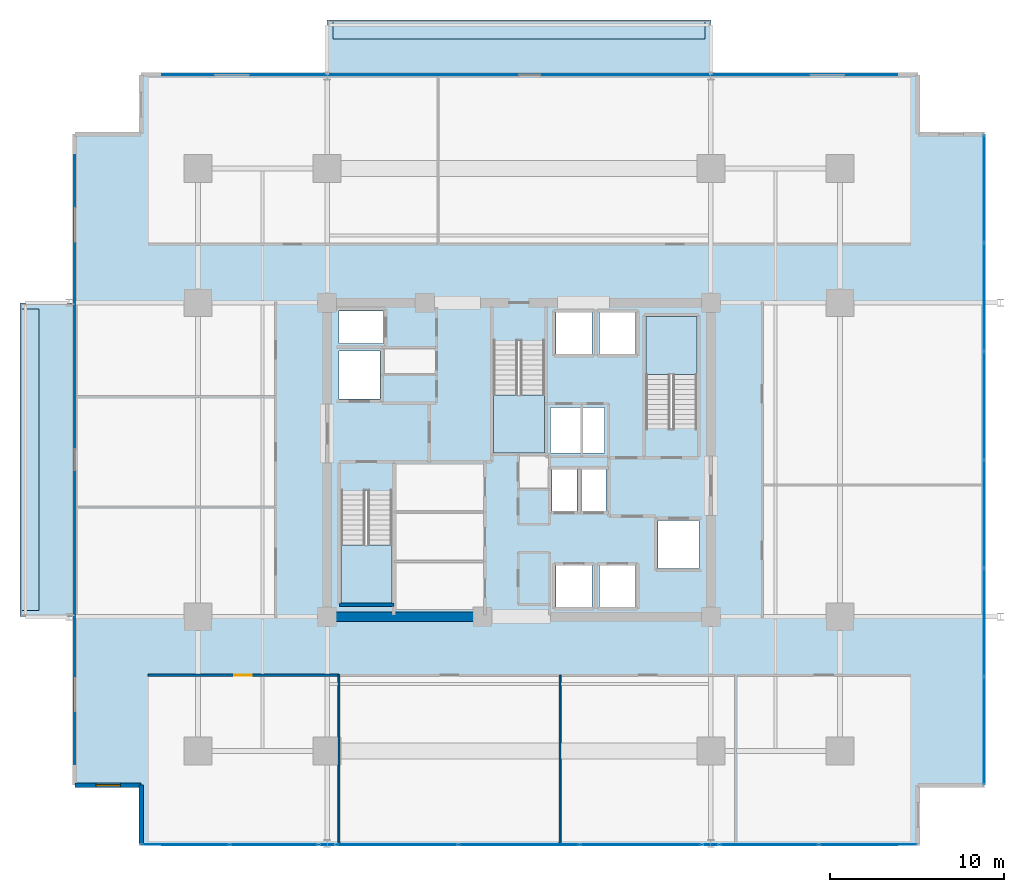
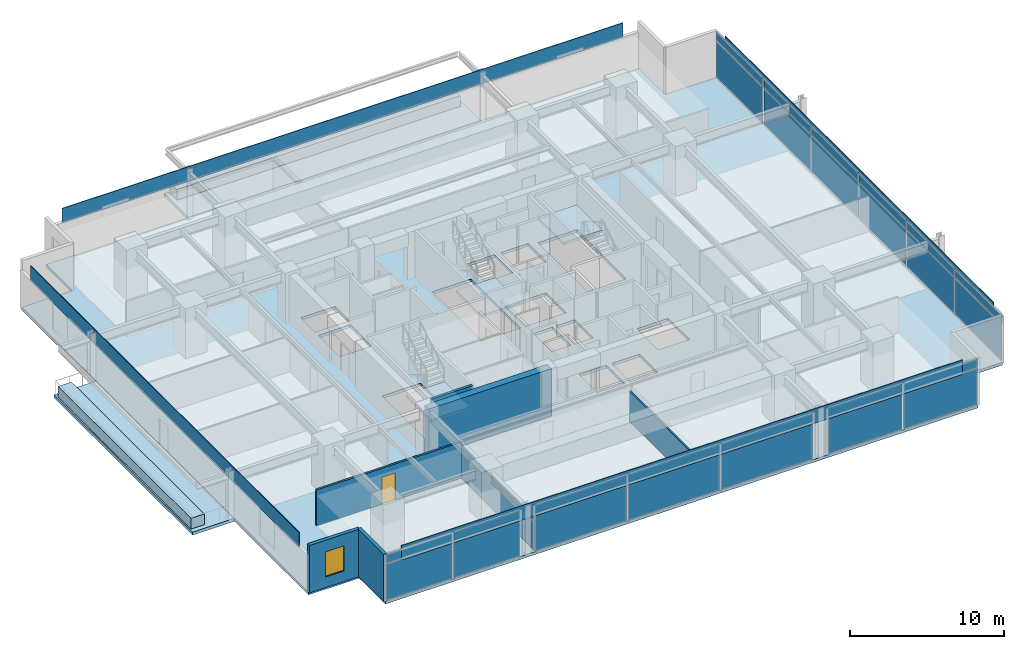
# One storey, part 12 of 20: 30 plates, 8 slabs, 7 walls, 1 door, 1 window, 2 openings, 7 elements without a shape of their own.
"""IFC4 building model written with IfcOpenShell, lengths in metres."""

from ifc_helpers import new_model, si_unit, direction, frame, frame_2d, origin, origin_2d, place, context, subcontext, project, spatial, polyline, rectangle, outline, extrude, material, layer, layer_set, type_object, element, fill, aggregate, save


model = new_model("IFC4")

# Units and contexts
model_context = context("Model", 3, precision=1e-05, world=origin(), true_north=direction((0.0, 1.0)))
body_context = subcontext(model_context, "Body", "Model", "MODEL_VIEW")
ifc_project = project(units=[si_unit("LENGTHUNIT", "METRE"), si_unit("AREAUNIT", "SQUARE_METRE"), si_unit("VOLUMEUNIT", "CUBIC_METRE"), si_unit("PLANEANGLEUNIT", "RADIAN"), si_unit("MASSUNIT", "GRAM", prefix="KILO")], contexts=[model_context])

# Site, building, storey
site_placement = place(None, origin())
site = spatial("IfcSite", under=ifc_project, at=site_placement, CompositionType="ELEMENT")
building_placement = place(site_placement, origin())
building = spatial("IfcBuilding", under=site, at=building_placement, Name="Kovane Verandah Tower", CompositionType="ELEMENT")
storey_placement = place(building_placement, frame((0.0, 0.0, 160.39990234375)))
storey = spatial("IfcBuildingStorey", under=building, at=storey_placement, Name="L37", CompositionType="ELEMENT", Elevation=160.39990234375)

# Curtain wall, plates
ifc_material_1 = material(Name="Champagne Anodised Aluminium Frame with Low-E Clear Laminated Glass", Category="aluminium")
curtain_wall_type = type_object("IfcCurtainWallType", Name="CW-SYS-03-MID", PredefinedType="NOTDEFINED", material=ifc_material_1)
curtain_wall_1_placement = place(storey_placement, origin())
curtain_wall_1 = element("IfcCurtainWall", 1, at=curtain_wall_1_placement, inside=storey, type_object=curtain_wall_type, Name="L37 S Unitised Curtain Wall-1", PredefinedType="NOTDEFINED")
ifc_material_2 = material(Name="Pale Champagne Anodised Aluminium Insulated Spandrel", Category="aluminium")
ifc_layer_1 = layer(ifc_material_2, 0.0400390625)
ifc_layer_set_1 = layer_set([ifc_layer_1], Name="Pale Champagne Anodised Aluminium Insulated Spandrel")
plate_type_1 = type_object("IfcPlateType", Name="PL-CW-SPD-40", PredefinedType="SHEET", material=ifc_layer_set_1)
plate_1_placement = place(storey_placement, frame((20.875732421875, 5.438720703125, 3.044921875), z_axis=(0.0, 0.0, 1.0), x_axis=(1.0, 0.0, 0.0)))
plate_1 = element("IfcPlate", 2, at=plate_1_placement, type_object=plate_type_1, Name="L37 S Unitised Curtain Wall-1 Spandrel Panel 1", PredefinedType="SHEET", context=body_context, shape_type="SweptSolid", body=[
    extrude(rectangle(XDim=4.929443359375, YDim=0.0400390625, at=origin_2d()), origin(), (0.0, 0.0, 1.0), 0.639892578125),
])
plate_2_placement = place(storey_placement, frame((25.9453125, 5.438720703125, 3.044921875), z_axis=(0.0, 0.0, 1.0), x_axis=(1.0, 0.0, 0.0)))
plate_2 = element("IfcPlate", 3, at=plate_2_placement, type_object=plate_type_1, Name="L37 S Unitised Curtain Wall-1 Spandrel Panel 2", PredefinedType="SHEET", context=body_context, shape_type="SweptSolid", body=[
    extrude(rectangle(XDim=4.929443359375, YDim=0.0400390625, at=origin_2d()), origin(), (0.0, 0.0, 1.0), 0.639892578125),
])

curtain_wall_2_placement = place(storey_placement, origin())
curtain_wall_2 = element("IfcCurtainWall", 4, at=curtain_wall_2_placement, inside=storey, type_object=curtain_wall_type, Name="L37 S Unitised Curtain Wall-2", PredefinedType="NOTDEFINED")
plate_3_placement = place(storey_placement, frame((33.01318359375, 5.438720703125, 3.044921875), z_axis=(0.0, 0.0, 1.0), x_axis=(1.0, 0.0, 0.0)))
plate_3 = element("IfcPlate", 5, at=plate_3_placement, type_object=plate_type_1, Name="L37 S Unitised Curtain Wall-2 Spandrel Panel 1", PredefinedType="SHEET", context=body_context, shape_type="SweptSolid", body=[
    extrude(rectangle(XDim=6.8466796875, YDim=0.0400390625, at=origin_2d()), origin(), (0.0, 0.0, 1.0), 0.639892578125),
])
plate_4_placement = place(storey_placement, frame((40.0, 5.438720703125, 3.044921875), z_axis=(0.0, 0.0, 1.0), x_axis=(1.0, 0.0, 0.0)))
plate_4 = element("IfcPlate", 6, at=plate_4_placement, type_object=plate_type_1, Name="L37 S Unitised Curtain Wall-2 Spandrel Panel 2", PredefinedType="SHEET", context=body_context, shape_type="SweptSolid", body=[
    extrude(rectangle(XDim=6.8466796875, YDim=0.0400390625, at=origin_2d()), origin(), (0.0, 0.0, 1.0), 0.639892578125),
])
plate_5_placement = place(storey_placement, frame((46.98681640625, 5.438720703125, 3.044921875), z_axis=(0.0, 0.0, 1.0), x_axis=(1.0, 0.0, 0.0)))
plate_5 = element("IfcPlate", 7, at=plate_5_placement, type_object=plate_type_1, Name="L37 S Unitised Curtain Wall-2 Spandrel Panel 3", PredefinedType="SHEET", context=body_context, shape_type="SweptSolid", body=[
    extrude(rectangle(XDim=6.8466796875, YDim=0.0400390625, at=origin_2d()), origin(), (0.0, 0.0, 1.0), 0.639892578125),
])

curtain_wall_3_placement = place(storey_placement, origin())
curtain_wall_3 = element("IfcCurtainWall", 8, at=curtain_wall_3_placement, inside=storey, type_object=curtain_wall_type, Name="L37 S Unitised Curtain Wall-3", PredefinedType="NOTDEFINED")
plate_6_placement = place(storey_placement, frame((54.358154296875, 5.438720703125, 3.044921875), z_axis=(0.0, 0.0, 1.0), x_axis=(1.0, 0.0, 0.0)))
plate_6 = element("IfcPlate", 9, at=plate_6_placement, type_object=plate_type_1, Name="L37 S Unitised Curtain Wall-3 Spandrel Panel 1", PredefinedType="SHEET", context=body_context, shape_type="SweptSolid", body=[
    extrude(rectangle(XDim=5.5361328125, YDim=0.0400390625, at=origin_2d()), origin(), (0.0, 0.0, 1.0), 0.639892578125),
])
plate_7_placement = place(storey_placement, frame((60.0341796875, 5.438720703125, 3.044921875), z_axis=(0.0, 0.0, 1.0), x_axis=(1.0, 0.0, 0.0)))
plate_7 = element("IfcPlate", 10, at=plate_7_placement, type_object=plate_type_1, Name="L37 S Unitised Curtain Wall-3 Spandrel Panel 2", PredefinedType="SHEET", context=body_context, shape_type="SweptSolid", body=[
    extrude(rectangle(XDim=5.5361328125, YDim=0.0400390625, at=origin_2d()), origin(), (0.0, 0.0, 1.0), 0.639892578125),
])

curtain_wall_4_placement = place(storey_placement, origin())
curtain_wall_4 = element("IfcCurtainWall", 11, at=curtain_wall_4_placement, inside=storey, type_object=curtain_wall_type, Name="L37 E Unitised Curtain Wall", PredefinedType="NOTDEFINED")
plate_8_placement = place(storey_placement, frame((66.67236328125, 11.948974609375, 3.044921875), z_axis=(0.0, 0.0, 1.0), x_axis=(0.0, 1.0, 0.0)))
plate_8 = element("IfcPlate", 12, at=plate_8_placement, type_object=plate_type_1, Name="L37 E Unitised Curtain Wall Spandrel Panel 1", PredefinedType="SHEET", context=body_context, shape_type="SweptSolid", body=[
    extrude(rectangle(XDim=6.080322265625, YDim=0.0400390625, at=origin_2d()), origin(), (0.0, 0.0, 1.0), 0.639892578125),
])
plate_9_placement = place(storey_placement, frame((66.67236328125, 18.16943359375, 3.044921875), z_axis=(0.0, 0.0, 1.0), x_axis=(0.0, 1.0, 0.0)))
plate_9 = element("IfcPlate", 13, at=plate_9_placement, type_object=plate_type_1, Name="L37 E Unitised Curtain Wall Spandrel Panel 2", PredefinedType="SHEET", context=body_context, shape_type="SweptSolid", body=[
    extrude(rectangle(XDim=6.080322265625, YDim=0.0400390625, at=origin_2d()), origin(), (0.0, 0.0, 1.0), 0.639892578125),
])
plate_10_placement = place(storey_placement, frame((66.67236328125, 24.389892578125, 3.044921875), z_axis=(0.0, 0.0, 1.0), x_axis=(0.0, 1.0, 0.0)))
plate_10 = element("IfcPlate", 14, at=plate_10_placement, type_object=plate_type_1, Name="L37 E Unitised Curtain Wall Spandrel Panel 3", PredefinedType="SHEET", context=body_context, shape_type="SweptSolid", body=[
    extrude(rectangle(XDim=6.080322265625, YDim=0.0400390625, at=origin_2d()), origin(), (0.0, 0.0, 1.0), 0.639892578125),
])
plate_11_placement = place(storey_placement, frame((66.67236328125, 30.610107421875, 3.044921875), z_axis=(0.0, 0.0, 1.0), x_axis=(0.0, 1.0, 0.0)))
plate_11 = element("IfcPlate", 15, at=plate_11_placement, type_object=plate_type_1, Name="L37 E Unitised Curtain Wall Spandrel Panel 4", PredefinedType="SHEET", context=body_context, shape_type="SweptSolid", body=[
    extrude(rectangle(XDim=6.080322265625, YDim=0.0400390625, at=origin_2d()), origin(), (0.0, 0.0, 1.0), 0.639892578125),
])
plate_12_placement = place(storey_placement, frame((66.67236328125, 36.830810546875, 3.044921875), z_axis=(0.0, 0.0, 1.0), x_axis=(0.0, 1.0, 0.0)))
plate_12 = element("IfcPlate", 16, at=plate_12_placement, type_object=plate_type_1, Name="L37 E Unitised Curtain Wall Spandrel Panel 5", PredefinedType="SHEET", context=body_context, shape_type="SweptSolid", body=[
    extrude(rectangle(XDim=6.080322265625, YDim=0.0400390625, at=origin_2d()), origin(), (0.0, 0.0, 1.0), 0.639892578125),
])
plate_13_placement = place(storey_placement, frame((66.67236328125, 43.051025390625, 3.044921875), z_axis=(0.0, 0.0, 1.0), x_axis=(0.0, 1.0, 0.0)))
plate_13 = element("IfcPlate", 17, at=plate_13_placement, type_object=plate_type_1, Name="L37 E Unitised Curtain Wall Spandrel Panel 6", PredefinedType="SHEET", context=body_context, shape_type="SweptSolid", body=[
    extrude(rectangle(XDim=6.080322265625, YDim=0.0400390625, at=origin_2d()), origin(), (0.0, 0.0, 1.0), 0.639892578125),
])

# Plate
ifc_material_3 = material(Name="Clear Low-E Laminated Double Glazing", Category="glass")
ifc_layer_2 = layer(ifc_material_3, 0.031982421875)
ifc_layer_set_2 = layer_set([ifc_layer_2], Name="Clear Low-E Laminated Double Glazing")
plate_type_2 = type_object("IfcPlateType", Name="PL-CW-VIS-32", PredefinedType="CURTAIN_PANEL", material=ifc_layer_set_2)
plate_14_placement = place(storey_placement, frame((20.875732421875, 5.438720703125, 0.10009765625), z_axis=(0.0, 0.0, 1.0), x_axis=(1.0, 0.0, 0.0)))
plate_14 = element("IfcPlate", 18, at=plate_14_placement, type_object=plate_type_2, Name="L37 S Unitised Curtain Wall-1 Vision Panel 1", PredefinedType="CURTAIN_PANEL", context=body_context, shape_type="SweptSolid", body=[
    extrude(rectangle(XDim=4.929443359375, YDim=0.031982421875, at=origin_2d()), origin(), (0.0, 0.0, 1.0), 2.844970703125),
])

plate_15_placement = place(storey_placement, frame((25.9453125, 5.438720703125, 0.10009765625), z_axis=(0.0, 0.0, 1.0), x_axis=(1.0, 0.0, 0.0)))
plate_15 = element("IfcPlate", 19, at=plate_15_placement, type_object=plate_type_2, Name="L37 S Unitised Curtain Wall-1 Vision Panel 2", PredefinedType="CURTAIN_PANEL", context=body_context, shape_type="SweptSolid", body=[
    extrude(rectangle(XDim=4.929443359375, YDim=0.031982421875, at=origin_2d()), origin(), (0.0, 0.0, 1.0), 2.844970703125),
])

aggregate(curtain_wall_1, [plate_14, plate_1, plate_15, plate_2])

plate_16_placement = place(storey_placement, frame((33.01318359375, 5.438720703125, 0.10009765625), z_axis=(0.0, 0.0, 1.0), x_axis=(1.0, 0.0, 0.0)))
plate_16 = element("IfcPlate", 20, at=plate_16_placement, type_object=plate_type_2, Name="L37 S Unitised Curtain Wall-2 Vision Panel 1", PredefinedType="CURTAIN_PANEL", context=body_context, shape_type="SweptSolid", body=[
    extrude(rectangle(XDim=6.8466796875, YDim=0.031982421875, at=origin_2d()), origin(), (0.0, 0.0, 1.0), 2.844970703125),
])

plate_17_placement = place(storey_placement, frame((40.0, 5.438720703125, 0.10009765625), z_axis=(0.0, 0.0, 1.0), x_axis=(1.0, 0.0, 0.0)))
plate_17 = element("IfcPlate", 21, at=plate_17_placement, type_object=plate_type_2, Name="L37 S Unitised Curtain Wall-2 Vision Panel 2", PredefinedType="CURTAIN_PANEL", context=body_context, shape_type="SweptSolid", body=[
    extrude(rectangle(XDim=6.8466796875, YDim=0.031982421875, at=origin_2d()), origin(), (0.0, 0.0, 1.0), 2.844970703125),
])

plate_18_placement = place(storey_placement, frame((46.98681640625, 5.438720703125, 0.10009765625), z_axis=(0.0, 0.0, 1.0), x_axis=(1.0, 0.0, 0.0)))
plate_18 = element("IfcPlate", 22, at=plate_18_placement, type_object=plate_type_2, Name="L37 S Unitised Curtain Wall-2 Vision Panel 3", PredefinedType="CURTAIN_PANEL", context=body_context, shape_type="SweptSolid", body=[
    extrude(rectangle(XDim=6.8466796875, YDim=0.031982421875, at=origin_2d()), origin(), (0.0, 0.0, 1.0), 2.844970703125),
])

aggregate(curtain_wall_2, [plate_16, plate_3, plate_17, plate_4, plate_18, plate_5])

plate_19_placement = place(storey_placement, frame((54.358154296875, 5.438720703125, 0.10009765625), z_axis=(0.0, 0.0, 1.0), x_axis=(1.0, 0.0, 0.0)))
plate_19 = element("IfcPlate", 23, at=plate_19_placement, type_object=plate_type_2, Name="L37 S Unitised Curtain Wall-3 Vision Panel 1", PredefinedType="CURTAIN_PANEL", context=body_context, shape_type="SweptSolid", body=[
    extrude(rectangle(XDim=5.5361328125, YDim=0.031982421875, at=origin_2d()), origin(), (0.0, 0.0, 1.0), 2.844970703125),
])

plate_20_placement = place(storey_placement, frame((60.0341796875, 5.438720703125, 0.10009765625), z_axis=(0.0, 0.0, 1.0), x_axis=(1.0, 0.0, 0.0)))
plate_20 = element("IfcPlate", 24, at=plate_20_placement, type_object=plate_type_2, Name="L37 S Unitised Curtain Wall-3 Vision Panel 2", PredefinedType="CURTAIN_PANEL", context=body_context, shape_type="SweptSolid", body=[
    extrude(rectangle(XDim=5.5361328125, YDim=0.031982421875, at=origin_2d()), origin(), (0.0, 0.0, 1.0), 2.844970703125),
])

aggregate(curtain_wall_3, [plate_19, plate_6, plate_20, plate_7])

plate_21_placement = place(storey_placement, frame((66.67236328125, 11.948974609375, 0.10009765625), z_axis=(0.0, 0.0, 1.0), x_axis=(0.0, 1.0, 0.0)))
plate_21 = element("IfcPlate", 25, at=plate_21_placement, type_object=plate_type_2, Name="L37 E Unitised Curtain Wall Vision Panel 1", PredefinedType="CURTAIN_PANEL", context=body_context, shape_type="SweptSolid", body=[
    extrude(rectangle(XDim=6.080322265625, YDim=0.031982421875, at=origin_2d()), origin(), (0.0, 0.0, 1.0), 2.844970703125),
])

plate_22_placement = place(storey_placement, frame((66.67236328125, 18.16943359375, 0.10009765625), z_axis=(0.0, 0.0, 1.0), x_axis=(0.0, 1.0, 0.0)))
plate_22 = element("IfcPlate", 26, at=plate_22_placement, type_object=plate_type_2, Name="L37 E Unitised Curtain Wall Vision Panel 2", PredefinedType="CURTAIN_PANEL", context=body_context, shape_type="SweptSolid", body=[
    extrude(rectangle(XDim=6.080322265625, YDim=0.031982421875, at=origin_2d()), origin(), (0.0, 0.0, 1.0), 2.844970703125),
])

plate_23_placement = place(storey_placement, frame((66.67236328125, 24.389892578125, 0.10009765625), z_axis=(0.0, 0.0, 1.0), x_axis=(0.0, 1.0, 0.0)))
plate_23 = element("IfcPlate", 27, at=plate_23_placement, type_object=plate_type_2, Name="L37 E Unitised Curtain Wall Vision Panel 3", PredefinedType="CURTAIN_PANEL", context=body_context, shape_type="SweptSolid", body=[
    extrude(rectangle(XDim=6.080322265625, YDim=0.031982421875, at=origin_2d()), origin(), (0.0, 0.0, 1.0), 2.844970703125),
])

plate_24_placement = place(storey_placement, frame((66.67236328125, 30.610107421875, 0.10009765625), z_axis=(0.0, 0.0, 1.0), x_axis=(0.0, 1.0, 0.0)))
plate_24 = element("IfcPlate", 28, at=plate_24_placement, type_object=plate_type_2, Name="L37 E Unitised Curtain Wall Vision Panel 4", PredefinedType="CURTAIN_PANEL", context=body_context, shape_type="SweptSolid", body=[
    extrude(rectangle(XDim=6.080322265625, YDim=0.031982421875, at=origin_2d()), origin(), (0.0, 0.0, 1.0), 2.844970703125),
])

plate_25_placement = place(storey_placement, frame((66.67236328125, 36.830810546875, 0.10009765625), z_axis=(0.0, 0.0, 1.0), x_axis=(0.0, 1.0, 0.0)))
plate_25 = element("IfcPlate", 29, at=plate_25_placement, type_object=plate_type_2, Name="L37 E Unitised Curtain Wall Vision Panel 5", PredefinedType="CURTAIN_PANEL", context=body_context, shape_type="SweptSolid", body=[
    extrude(rectangle(XDim=6.080322265625, YDim=0.031982421875, at=origin_2d()), origin(), (0.0, 0.0, 1.0), 2.844970703125),
])

plate_26_placement = place(storey_placement, frame((66.67236328125, 43.051025390625, 0.10009765625), z_axis=(0.0, 0.0, 1.0), x_axis=(0.0, 1.0, 0.0)))
plate_26 = element("IfcPlate", 30, at=plate_26_placement, type_object=plate_type_2, Name="L37 E Unitised Curtain Wall Vision Panel 6", PredefinedType="CURTAIN_PANEL", context=body_context, shape_type="SweptSolid", body=[
    extrude(rectangle(XDim=6.080322265625, YDim=0.031982421875, at=origin_2d()), origin(), (0.0, 0.0, 1.0), 2.844970703125),
])

aggregate(curtain_wall_4, [plate_21, plate_8, plate_22, plate_9, plate_23, plate_10, plate_24, plate_11, plate_25, plate_12, plate_26, plate_13])

# Plates
ifc_material_4 = material(Name="Perforated Pale Champagne Anodised Aluminium Solar Screen", Category="aluminium")
ifc_layer_3 = layer(ifc_material_4, 0.050048828125)
ifc_layer_set_3 = layer_set([ifc_layer_3], Name="Perforated Pale Champagne Anodised Aluminium Solar Screen")
plate_type_3 = type_object("IfcPlateType", Name="PL-SCREEN-50", PredefinedType="USERDEFINED", material=ifc_layer_set_3)
plate_27_placement = place(storey_placement, frame((40.606689453125, 5.423583984375, 2.875244140625), z_axis=(0.0, 0.0, 1.0), x_axis=(1.0, 0.0, 0.0)))
element("IfcPlate", 31, at=plate_27_placement, inside=storey, type_object=plate_type_3, Name="L37 S Perforated Champagne-Gold Solar Screen", ObjectType="SCREEN", PredefinedType="USERDEFINED", context=body_context, shape_type="SweptSolid", body=[
    extrude(rectangle(XDim=42.131103515625, YDim=0.050048828125, at=origin_2d()), origin(), (0.0, 0.0, 1.0), 1.14990234375),
])
plate_28_placement = place(storey_placement, frame((66.6875, 27.5, 2.875244140625), z_axis=(0.0, 0.0, 1.0), x_axis=(0.0, 1.0, 0.0)))
element("IfcPlate", 32, at=plate_28_placement, inside=storey, type_object=plate_type_3, Name="L37 E Perforated Champagne-Gold Solar Screen", ObjectType="SCREEN", PredefinedType="USERDEFINED", context=body_context, shape_type="SweptSolid", body=[
    extrude(rectangle(XDim=34.923095703125, YDim=0.050048828125, at=origin_2d()), origin(), (0.0, 0.0, 1.0), 1.14990234375),
])
plate_29_placement = place(storey_placement, frame((40.606689453125, 49.576416015625, 2.875244140625), z_axis=(0.0, 0.0, 1.0), x_axis=(-1.0, 0.0, 0.0)))
element("IfcPlate", 33, at=plate_29_placement, inside=storey, type_object=plate_type_3, Name="L37 N Perforated Champagne-Gold Solar Screen", ObjectType="SCREEN", PredefinedType="USERDEFINED", context=body_context, shape_type="SweptSolid", body=[
    extrude(rectangle(XDim=42.131103515625, YDim=0.050048828125, at=origin_2d()), origin(), (0.0, 0.0, 1.0), 1.14990234375),
])
plate_30_placement = place(storey_placement, frame((14.52587890625, 27.5, 2.875244140625), z_axis=(0.0, 0.0, 1.0), x_axis=(0.0, -1.0, 0.0)))
element("IfcPlate", 34, at=plate_30_placement, inside=storey, type_object=plate_type_3, Name="L37 W Perforated Champagne-Gold Solar Screen", ObjectType="SCREEN", PredefinedType="USERDEFINED", context=body_context, shape_type="SweptSolid", body=[
    extrude(rectangle(XDim=34.923095703125, YDim=0.050048828125, at=origin_2d()), origin(), (0.0, 0.0, 1.0), 1.14990234375),
])

# Slabs
ifc_material_5 = material(Name="Concrete C45/55", Category="concrete")
ifc_layer_4 = layer(ifc_material_5, 0.239990234375)
ifc_layer_set_4 = layer_set([ifc_layer_4], Name="Concrete C45/55")
slab_type_1 = type_object("IfcSlabType", Name="SL-BALC-240", PredefinedType="FLOOR", material=ifc_layer_set_4)
slab_1_placement = place(storey_placement, frame((0.0, 0.0, -0.239990234375)))
element("IfcSlab", 35, at=slab_1_placement, inside=storey, type_object=slab_type_1, Name="L37 N Planted Verandah Balcony Slab", PredefinedType="FLOOR", context=body_context, shape_type="SweptSolid", body=[
    extrude(outline(polyline([(29.0, 49.561279296875), (51.0, 49.561279296875), (51.0, 52.711181640625), (29.0, 52.711181640625), (29.0, 49.561279296875)])), origin(), (0.0, 0.0, 1.0), 0.239990234375),
])
slab_2_placement = place(storey_placement, frame((0.0, 0.0, -0.239990234375)))
element("IfcSlab", 36, at=slab_2_placement, inside=storey, type_object=slab_type_1, Name="L37 W Planted Verandah Balcony Slab", PredefinedType="FLOOR", context=body_context, shape_type="SweptSolid", body=[
    extrude(outline(polyline([(11.39111328125, 18.5), (14.541015625, 18.5), (14.541015625, 36.5), (11.39111328125, 36.5), (11.39111328125, 18.5)])), origin(), (0.0, 0.0, 1.0), 0.239990234375),
])

# Stair, slab
stair_type = type_object("IfcStairType", Name="ST-CORE-1380", PredefinedType="HALF_TURN_STAIR", material=ifc_material_5)
stair_1_placement = place(storey_placement, origin())
stair_1 = element("IfcStair", 37, at=stair_1_placement, inside=storey, type_object=stair_type, Name="L37 Exit Stair ST-01", PredefinedType="HALF_TURN_STAIR")
ifc_layer_5 = layer(ifc_material_5, 0.199951171875)
ifc_layer_set_5 = layer_set([ifc_layer_5], Name="Concrete C45/55")
slab_type_2 = type_object("IfcSlabType", Name="SL-LAND-200", PredefinedType="LANDING", material=ifc_layer_set_5)
slab_3_placement = place(storey_placement, frame((0.0, 0.0, 1.800048828125)))
slab_3 = element("IfcSlab", 38, at=slab_3_placement, type_object=slab_type_2, Name="ST-01 landing 1", PredefinedType="LANDING", context=body_context, shape_type="SweptSolid", body=[
    extrude(outline(polyline([(29.800048828125, 22.614990234375), (29.800048828125, 19.300048828125), (32.719970703125, 19.300048828125), (32.719970703125, 22.614990234375), (29.800048828125, 22.614990234375)])), origin(), (0.0, 0.0, 1.0), 0.199951171875),
])
aggregate(stair_1, [slab_3])

stair_2_placement = place(storey_placement, origin())
stair_2 = element("IfcStair", 39, at=stair_2_placement, inside=storey, type_object=stair_type, Name="L37 Exit Stair ST-02", PredefinedType="HALF_TURN_STAIR")
slab_4_placement = place(storey_placement, frame((0.0, 0.0, 1.800048828125)))
slab_4 = element("IfcSlab", 40, at=slab_4_placement, type_object=slab_type_2, Name="ST-02 landing 1", PredefinedType="LANDING", context=body_context, shape_type="SweptSolid", body=[
    extrude(outline(polyline([(50.199951171875, 32.385009765625), (50.199951171875, 35.699951171875), (47.280029296875, 35.699951171875), (47.280029296875, 32.385009765625), (50.199951171875, 32.385009765625)])), origin(), (0.0, 0.0, 1.0), 0.199951171875),
])
aggregate(stair_2, [slab_4])

stair_3_placement = place(storey_placement, origin())
stair_3 = element("IfcStair", 41, at=stair_3_placement, inside=storey, type_object=stair_type, Name="L37 Exit Stair ST-03", PredefinedType="HALF_TURN_STAIR")
slab_5_placement = place(storey_placement, frame((0.0, 0.0, 1.800048828125)))
slab_5 = element("IfcSlab", 42, at=slab_5_placement, type_object=slab_type_2, Name="ST-03 landing 1", PredefinedType="LANDING", context=body_context, shape_type="SweptSolid", body=[
    extrude(outline(polyline([(38.5400390625, 31.215087890625), (38.5400390625, 27.89990234375), (41.4599609375, 27.89990234375), (41.4599609375, 31.215087890625), (38.5400390625, 31.215087890625)])), origin(), (0.0, 0.0, 1.0), 0.199951171875),
])
aggregate(stair_3, [slab_5])

# Slabs
ifc_layer_6 = layer(ifc_material_5, 0.22509765625)
ifc_layer_set_6 = layer_set([ifc_layer_6], Name="Concrete C45/55")
slab_type_3 = type_object("IfcSlabType", Name="SL-MID-225", PredefinedType="FLOOR", material=ifc_layer_set_6)
slab_6_placement = place(storey_placement, frame((0.0, 0.0, -0.224853515625)))
element("IfcSlab", 43, at=slab_6_placement, inside=storey, type_object=slab_type_3, Name="L37 Structural Floor Slab", PredefinedType="FLOOR", context=body_context, shape_type="SweptSolid", body=[
    extrude(outline(polyline([(18.341064453125, 5.438720703125), (62.872314453125, 5.438720703125), (62.872314453125, 8.838623046875), (66.67236328125, 8.838623046875), (66.67236328125, 46.161376953125), (62.872314453125, 46.161376953125), (62.872314453125, 49.561279296875), (18.341064453125, 49.561279296875), (18.341064453125, 46.161376953125), (14.541015625, 46.161376953125), (14.541015625, 8.838623046875), (18.341064453125, 8.838623046875), (18.341064453125, 5.438720703125)]), holes=[polyline([(29.800048828125, 19.300048828125), (32.719970703125, 19.300048828125), (32.719970703125, 25.705078125), (29.800048828125, 25.705078125), (29.800048828125, 19.300048828125)]), polyline([(47.280029296875, 29.294921875), (50.199951171875, 29.294921875), (50.199951171875, 35.699951171875), (47.280029296875, 35.699951171875), (47.280029296875, 29.294921875)]), polyline([(38.5400390625, 27.89990234375), (41.4599609375, 27.89990234375), (41.4599609375, 34.304931640625), (38.5400390625, 34.304931640625), (38.5400390625, 27.89990234375)]), polyline([(29.669921875, 30.969970703125), (32.030029296875, 30.969970703125), (32.030029296875, 33.72998046875), (29.669921875, 33.72998046875), (29.669921875, 30.969970703125)]), polyline([(47.969970703125, 21.27001953125), (50.330078125, 21.27001953125), (50.330078125, 24.030029296875), (47.969970703125, 24.030029296875), (47.969970703125, 21.27001953125)]), polyline([(29.669921875, 34.169921875), (32.22998046875, 34.169921875), (32.22998046875, 36.030029296875), (29.669921875, 36.030029296875), (29.669921875, 34.169921875)]), polyline([(42.1201171875, 19.070068359375), (44.179931640625, 19.070068359375), (44.179931640625, 21.429931640625), (42.1201171875, 21.429931640625), (42.1201171875, 19.070068359375)]), polyline([(44.6201171875, 19.070068359375), (46.679931640625, 19.070068359375), (46.679931640625, 21.429931640625), (44.6201171875, 21.429931640625), (44.6201171875, 19.070068359375)]), polyline([(41.8798828125, 24.570068359375), (43.320068359375, 24.570068359375), (43.320068359375, 26.929931640625), (41.8798828125, 26.929931640625), (41.8798828125, 24.570068359375)]), polyline([(43.580078125, 24.570068359375), (45.0, 24.570068359375), (45.0, 26.929931640625), (43.580078125, 26.929931640625), (43.580078125, 24.570068359375)]), polyline([(42.1201171875, 33.570068359375), (44.179931640625, 33.570068359375), (44.179931640625, 35.929931640625), (42.1201171875, 35.929931640625), (42.1201171875, 33.570068359375)]), polyline([(44.6201171875, 33.570068359375), (46.679931640625, 33.570068359375), (46.679931640625, 35.929931640625), (44.6201171875, 35.929931640625), (44.6201171875, 33.570068359375)]), polyline([(41.800048828125, 27.89990234375), (44.89990234375, 27.89990234375), (44.89990234375, 30.5), (41.800048828125, 30.5), (41.800048828125, 27.89990234375)])]), origin(), (0.0, 0.0, 1.0), 0.224853515625),
])
ifc_material_6 = material(Name="Architectural Precast Concrete C45/55 Planter Trough", Category="concrete")
ifc_layer_7 = layer(ifc_material_6, 0.219970703125)
ifc_layer_set_7 = layer_set([ifc_layer_7], Name="Architectural Precast Concrete C45/55 Planter Trough")
slab_type_4 = type_object("IfcSlabType", Name="SL-PLANTER-220", PredefinedType="USERDEFINED", material=ifc_layer_set_7)
slab_7_placement = place(storey_placement, origin())
element("IfcSlab", 44, at=slab_7_placement, inside=storey, type_object=slab_type_4, Name="L37 N Structural Tree Planter", ObjectType="PLANTER", PredefinedType="USERDEFINED", context=body_context, shape_type="SweptSolid", body=[
    extrude(outline(polyline([(29.35009765625, 51.611328125), (50.64990234375, 51.611328125), (50.64990234375, 52.611328125), (29.35009765625, 52.611328125), (29.35009765625, 51.611328125)])), origin(), (0.0, 0.0, 1.0), 0.85009765625),
])
slab_8_placement = place(storey_placement, origin())
element("IfcSlab", 45, at=slab_8_placement, inside=storey, type_object=slab_type_4, Name="L37 W Structural Tree Planter", ObjectType="PLANTER", PredefinedType="USERDEFINED", context=body_context, shape_type="SweptSolid", body=[
    extrude(outline(polyline([(11.490966796875, 18.85009765625), (12.490966796875, 18.85009765625), (12.490966796875, 36.14990234375), (11.490966796875, 36.14990234375), (11.490966796875, 18.85009765625)])), origin(), (0.0, 0.0, 1.0), 0.85009765625),
])

# Wall, opening, door
ifc_material_7 = material(Name="Fire-Rated Gypsum Stud Partition", Category="gypsum")
ifc_layer_8 = layer(ifc_material_7, 0.14990234375)
ifc_layer_set_8 = layer_set([ifc_layer_8], Name="Fire-Rated Gypsum Stud Partition")
wall_type_1 = type_object("IfcWallType", Name="WL-COR-150", PredefinedType="PARTITIONING", material=ifc_layer_set_8)
wall_1_placement = place(storey_placement, frame((18.740966796875, 15.14990234375, 0.0), z_axis=(0.0, 0.0, 1.0), x_axis=(1.0, 0.0, 0.0)))
wall_1 = element("IfcWall", 46, at=wall_1_placement, inside=storey, type_object=wall_type_1, Name="L37 Collaboration Hub S1 Corridor Partition", PredefinedType="PARTITIONING", context=body_context, shape_type="SweptSolid", body=[
    extrude(rectangle(XDim=10.932861328125, YDim=0.14990234375, at=frame_2d((5.46630859375, 0.0))), origin(), (0.0, 0.0, 1.0), 2.85009765625),
])
opening_1_placement = place(wall_1_placement, frame((4.931396484375, 0.0, 0.0)))
opening_1 = element("IfcOpeningElement", 47, at=opening_1_placement, cuts=wall_1, Name="Opening DR-L37-022", PredefinedType="OPENING", context=body_context, shape_type="SweptSolid", body=[
    extrude(rectangle(XDim=1.0, YDim=2.14990234375, at=frame_2d((0.5, 1.074951171875))), frame((0.0, 0.074951171875, 0.0), z_axis=(0.0, -1.0, 0.0), x_axis=(1.0, 0.0, 0.0)), (0.0, 0.0, 1.0), 0.14990234375),
])
ifc_material_8 = material(Name="FSC Spotted-Gum Timber Fire-Rated Office Door", Category="wood")
door_type = type_object("IfcDoorType", Name="DR-OFF-1000", OperationType="SINGLE_SWING_LEFT", PredefinedType="DOOR", material=ifc_material_8)
door_placement = place(opening_1_placement, origin())
door = element("IfcDoor", 48, at=door_placement, inside=storey, type_object=door_type, Name="L37 Collaboration Hub S1 Entrance Door", OperationType="SINGLE_SWING_RIGHT", OverallHeight=2.14990234375, OverallWidth=1.0, PredefinedType="DOOR", context=body_context, shape_type="SweptSolid", body=[
    extrude(rectangle(XDim=1.0, YDim=2.14990234375, at=frame_2d((0.5, 1.074951171875))), frame((0.0, 0.02490234375, 0.0), z_axis=(0.0, -1.0, 0.0), x_axis=(1.0, 0.0, 0.0)), (0.0, 0.0, 1.0), 0.050048828125),
])
fill(opening_1, door)

# Walls
ifc_material_9 = material(Name="Concrete C60/75", Category="concrete")
ifc_layer_9 = layer(ifc_material_9, 0.550048828125)
ifc_layer_set_9 = layer_set([ifc_layer_9], Name="Concrete C60/75")
wall_type_2 = type_object("IfcWallType", Name="WL-CORE-550", PredefinedType="SHEAR", material=ifc_layer_set_9)
wall_2_placement = place(storey_placement, frame((29.0, 18.5, 0.0), z_axis=(0.0, 0.0, 1.0), x_axis=(1.0, 0.0, 0.0)))
element("IfcWall", 49, at=wall_2_placement, inside=storey, type_object=wall_type_2, Name="L37 Core Shear Wall CS-1", PredefinedType="SHEAR", context=body_context, shape_type="SweptSolid", body=[
    extrude(rectangle(XDim=9.199951171875, YDim=0.550048828125, at=frame_2d((4.60009765625, 0.0))), origin(), (0.0, 0.0, 1.0), 3.775146484375),
])
ifc_material_10 = material(Name="Acoustic Fire-Rated Gypsum Partition", Category="gypsum")
ifc_layer_10 = layer(ifc_material_10, 0.1201171875)
ifc_layer_set_10 = layer_set([ifc_layer_10], Name="Acoustic Fire-Rated Gypsum Partition")
wall_type_3 = type_object("IfcWallType", Name="WL-PART-120", PredefinedType="PARTITIONING", material=ifc_layer_set_10)
for number, where, z_axis, x_axis, name in (
    (50, (29.673828125, 5.538818359375, 0.0), (0.0, 0.0, 1.0), (0.0, 1.0, 0.0), "L37 Collaboration Hub S1 Dividing Partition"),
    (51, (42.35595703125, 5.538818359375, 0.0), (0.0, 0.0, 1.0), (0.0, 1.0, 0.0), "L37 Document and Print Room S2 Dividing Partition"),
):
    element("IfcWall", number, at=place(storey_placement, frame(where, z_axis=z_axis, x_axis=x_axis)), inside=storey, type_object=wall_type_3, Name=name, PredefinedType="PARTITIONING", context=body_context, shape_type="SweptSolid", body=[
        extrude(rectangle(XDim=9.611083984375, YDim=0.1201171875, at=frame_2d((4.8056640625, 0.0))), origin(), (0.0, 0.0, 1.0), 2.405029296875),
    ])
ifc_layer_11 = layer(ifc_material_5, 0.199951171875)
ifc_layer_set_11 = layer_set([ifc_layer_11], Name="Concrete C45/55")
wall_type_4 = type_object("IfcWallType", Name="WL-SHAFT-200", PredefinedType="SOLIDWALL", material=ifc_layer_set_11)
wall_3_placement = place(storey_placement, frame((29.699951171875, 19.199951171875, 0.0), z_axis=(0.0, 0.0, 1.0), x_axis=(1.0, 0.0, 0.0)))
element("IfcWall", 52, at=wall_3_placement, inside=storey, type_object=wall_type_4, Name="W-L37-ST01-S", PredefinedType="SOLIDWALL", context=body_context, shape_type="SweptSolid", body=[
    extrude(rectangle(XDim=3.1201171875, YDim=0.199951171875, at=frame_2d((1.56005859375, 0.0))), origin(), (0.0, 0.0, 1.0), 3.775146484375),
])

# Wall, opening, window
ifc_material_11 = material(Name="Concrete C45/55 Insulated Spandrel Wall", Category="concrete")
ifc_layer_12 = layer(ifc_material_11, 0.260009765625)
ifc_layer_set_12 = layer_set([ifc_layer_12], Name="Concrete C45/55 Insulated Spandrel Wall")
wall_type_5 = type_object("IfcWallType", Name="WL-SPANDREL-260", PredefinedType="PARAPET", material=ifc_layer_set_12)
wall_4_placement = place(storey_placement, frame((14.541015625, 8.838623046875, 0.0), z_axis=(0.0, 0.0, 1.0), x_axis=(1.0, 0.0, 0.0)))
wall_4 = element("IfcWall", 53, at=wall_4_placement, inside=storey, type_object=wall_type_5, Name="L37 SW Notch Cheek Wall 1", PredefinedType="PARAPET", context=body_context, shape_type="SweptSolid", body=[
    extrude(rectangle(XDim=3.800048828125, YDim=0.260009765625, at=frame_2d((1.89990234375, 0.0))), origin(), (0.0, 0.0, 1.0), 3.775146484375),
])
opening_2_placement = place(wall_4_placement, frame((1.199951171875, 0.0, 0.85009765625)))
opening_2 = element("IfcOpeningElement", 54, at=opening_2_placement, cuts=wall_4, Name="Opening W-01", PredefinedType="OPENING", context=body_context, shape_type="SweptSolid", body=[
    extrude(rectangle(XDim=1.39990234375, YDim=2.0, at=frame_2d((0.699951171875, 1.0))), frame((0.0, 0.1298828125, 0.0), z_axis=(0.0, -1.0, 0.0), x_axis=(1.0, 0.0, 0.0)), (0.0, 0.0, 1.0), 0.260009765625),
])
ifc_material_12 = material(Name="Clear Low-E Laminated Double Glazing in Anodised Frame", Category="glass")
window_type = type_object("IfcWindowType", Name="WN-OPER-1400x2000", PartitioningType="SINGLE_PANEL", PredefinedType="WINDOW", material=ifc_material_12)
window_placement = place(opening_2_placement, origin())
window = element("IfcWindow", 55, at=window_placement, inside=storey, type_object=window_type, Name="L37 SW Re-Entrant Corner Operable Window", OverallHeight=2.0, OverallWidth=1.39990234375, PartitioningType="SINGLE_PANEL", PredefinedType="WINDOW", context=body_context, shape_type="SweptSolid", body=[
    extrude(rectangle(XDim=1.39990234375, YDim=2.0, at=frame_2d((0.699951171875, 1.0))), frame((0.0, 0.030029296875, 0.0), z_axis=(0.0, -1.0, 0.0), x_axis=(1.0, 0.0, 0.0)), (0.0, 0.0, 1.0), 0.06005859375),
])
fill(opening_2, window)

# Wall
wall_5_placement = place(storey_placement, frame((18.341064453125, 8.838623046875, 0.0), z_axis=(0.0, 0.0, 1.0), x_axis=(0.0, -1.0, 0.0)))
element("IfcWall", 56, at=wall_5_placement, inside=storey, type_object=wall_type_5, Name="L37 SW Notch Cheek Wall 2", PredefinedType="PARAPET", context=body_context, shape_type="SweptSolid", body=[
    extrude(rectangle(XDim=3.39990234375, YDim=0.260009765625, at=frame_2d((1.699951171875, 0.0))), origin(), (0.0, 0.0, 1.0), 3.775146484375),
])

save(model, "model.ifc")
